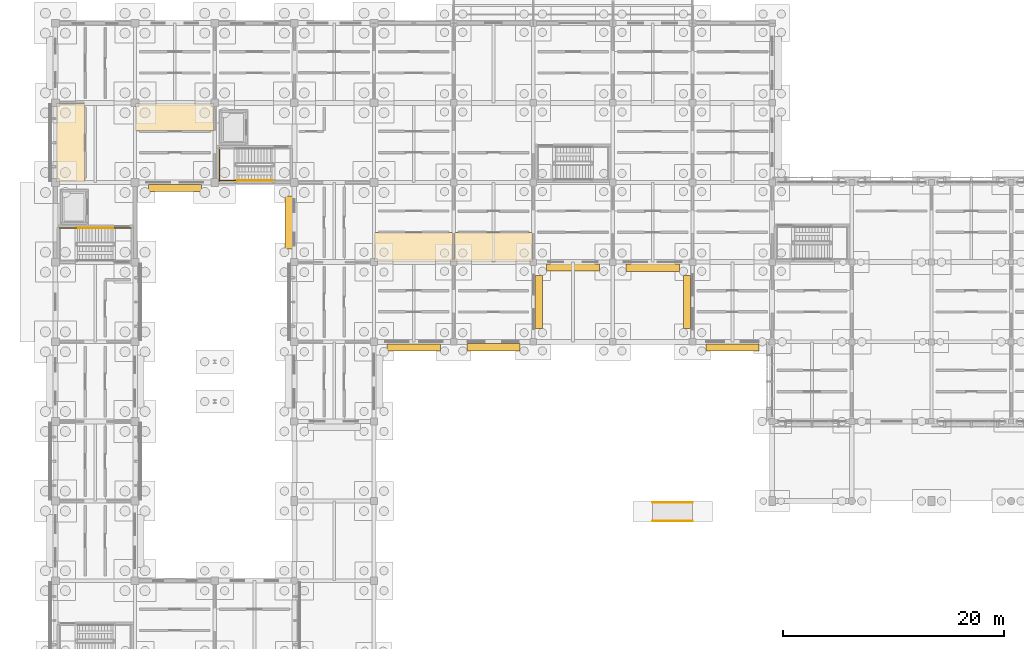
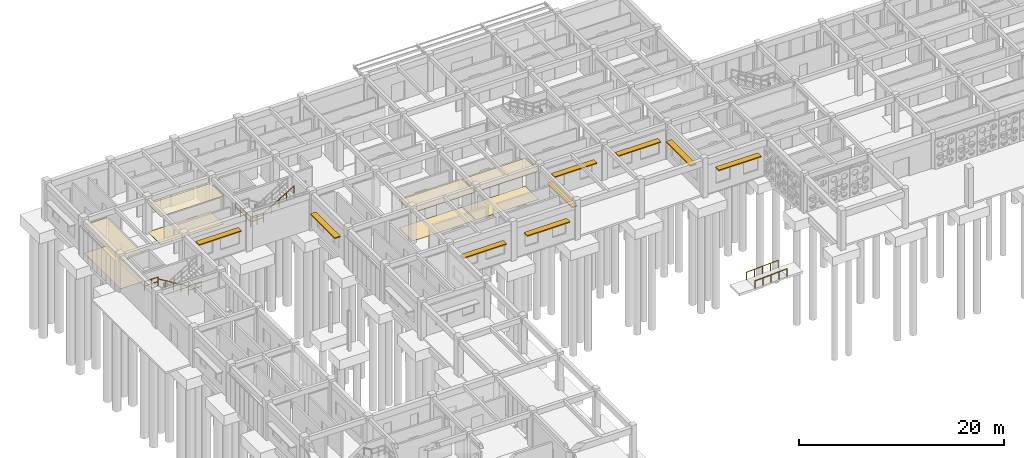
# One storey, part 94 of 111: 9 shading devices, 8 coverings, 8 railings.
"""IFC4 building model written with IfcOpenShell, lengths in metres."""

from ifc_helpers import new_model, si_unit, direction, frame, origin, origin_2d, place, context, subcontext, project, spatial, polyline, rectangle, circle, outline, extrude, material, layer, layer_set, type_object, element, save


model = new_model("IFC4")

# Units and contexts
model_context = context("Model", 3, precision=1e-05, world=origin(), true_north=direction((0.0, 1.0)))
body_context = subcontext(model_context, "Body", "Model", "MODEL_VIEW")
ifc_project = project(units=[si_unit("LENGTHUNIT", "METRE"), si_unit("AREAUNIT", "SQUARE_METRE"), si_unit("VOLUMEUNIT", "CUBIC_METRE"), si_unit("PLANEANGLEUNIT", "RADIAN"), si_unit("MASSUNIT", "GRAM", prefix="KILO")], contexts=[model_context])

# Site, building, storey
site_placement = place(None, origin())
site = spatial("IfcSite", under=ifc_project, at=site_placement, CompositionType="ELEMENT")
building_placement = place(site_placement, origin())
building = spatial("IfcBuilding", under=site, at=building_placement, Name="Aldebral Square Health Centre", CompositionType="ELEMENT")
storey_placement = place(building_placement, origin())
storey = spatial("IfcBuildingStorey", under=building, at=storey_placement, Name="L00", CompositionType="ELEMENT", Elevation=0.0)

# Coverings
ifc_material_1 = material(Name="Hygienic acoustic mineral ceiling tile")
ifc_layer_1 = layer(ifc_material_1, 0.02001953125, Name="Hygienic acoustic mineral ceiling tile")
ifc_layer_set_1 = layer_set([ifc_layer_1], Name="Hygienic acoustic mineral ceiling tile")
covering_type_1 = type_object("IfcCoveringType", Name="COV-CLG-AC", PredefinedType="CEILING", material=ifc_layer_set_1)
covering_1_placement = place(storey_placement, frame((0.0, 0.0, 3.340087890625)))
element("IfcCovering", 1, at=covering_1_placement, inside=storey, type_object=covering_type_1, Name="L00 Microbiology Laboratory 5.14S acoustic ceiling", PredefinedType="CEILING", context=body_context, shape_type="SweptSolid", body=[
    extrude(outline(polyline([(28.860107421875, 93.659912109375), (35.93994140625, 93.659912109375), (35.93994140625, 96.280029296875), (28.860107421875, 96.280029296875), (28.860107421875, 93.659912109375)])), origin(), (0.0, 0.0, 1.0), 0.02001953125),
])
covering_2_placement = place(storey_placement, frame((0.0, 0.0, 3.340087890625)))
element("IfcCovering", 2, at=covering_2_placement, inside=storey, type_object=covering_type_1, Name="L00 Phlebotomy Suite 6.14S acoustic ceiling", PredefinedType="CEILING", context=body_context, shape_type="SweptSolid", body=[
    extrude(outline(polyline([(36.06005859375, 93.659912109375), (43.139892578125, 93.659912109375), (43.139892578125, 96.280029296875), (36.06005859375, 96.280029296875), (36.06005859375, 93.659912109375)])), origin(), (0.0, 0.0, 1.0), 0.02001953125),
])
covering_3_placement = place(storey_placement, frame((0.0, 0.0, 3.340087890625)))
element("IfcCovering", 3, at=covering_3_placement, inside=storey, type_object=covering_type_1, Name="L00 Family Practice Clinic 1.15W acoustic ceiling", PredefinedType="CEILING", context=body_context, shape_type="SweptSolid", body=[
    extrude(outline(polyline([(0.06005859375, 100.860107421875), (2.659912109375, 100.860107421875), (2.659912109375, 107.93994140625), (0.06005859375, 107.93994140625), (0.06005859375, 100.860107421875)])), origin(), (0.0, 0.0, 1.0), 0.02001953125),
])
covering_4_placement = place(storey_placement, frame((0.0, 0.0, 3.340087890625)))
element("IfcCovering", 4, at=covering_4_placement, inside=storey, type_object=covering_type_1, Name="L00 Vaccination Room 2.15N acoustic ceiling", PredefinedType="CEILING", context=body_context, shape_type="SweptSolid", body=[
    extrude(outline(polyline([(7.260009765625, 105.43994140625), (14.340087890625, 105.43994140625), (14.340087890625, 107.93994140625), (7.260009765625, 107.93994140625), (7.260009765625, 105.43994140625)])), origin(), (0.0, 0.0, 1.0), 0.02001953125),
])
ifc_material_2 = material(Name="Antimicrobial clinical vinyl flooring")
ifc_layer_2 = layer(ifc_material_2, 0.014892578125, Name="Antimicrobial clinical vinyl flooring")
ifc_layer_set_2 = layer_set([ifc_layer_2], Name="Antimicrobial clinical vinyl flooring")
covering_type_2 = type_object("IfcCoveringType", Name="COV-FLR-VN", PredefinedType="FLOORING", material=ifc_layer_set_2)
covering_5_placement = place(storey_placement, origin())
element("IfcCovering", 5, at=covering_5_placement, inside=storey, type_object=covering_type_2, Name="L00 Microbiology Laboratory 5.14S clinical flooring", PredefinedType="FLOORING", context=body_context, shape_type="SweptSolid", body=[
    extrude(outline(polyline([(28.860107421875, 93.659912109375), (35.93994140625, 93.659912109375), (35.93994140625, 96.280029296875), (28.860107421875, 96.280029296875), (28.860107421875, 93.659912109375)])), origin(), (0.0, 0.0, 1.0), 0.014892578125),
])
covering_6_placement = place(storey_placement, origin())
element("IfcCovering", 6, at=covering_6_placement, inside=storey, type_object=covering_type_2, Name="L00 Phlebotomy Suite 6.14S clinical flooring", PredefinedType="FLOORING", context=body_context, shape_type="SweptSolid", body=[
    extrude(outline(polyline([(36.06005859375, 93.659912109375), (43.139892578125, 93.659912109375), (43.139892578125, 96.280029296875), (36.06005859375, 96.280029296875), (36.06005859375, 93.659912109375)])), origin(), (0.0, 0.0, 1.0), 0.014892578125),
])
covering_7_placement = place(storey_placement, origin())
element("IfcCovering", 7, at=covering_7_placement, inside=storey, type_object=covering_type_2, Name="L00 Family Practice Clinic 1.15W clinical flooring", PredefinedType="FLOORING", context=body_context, shape_type="SweptSolid", body=[
    extrude(outline(polyline([(0.06005859375, 100.860107421875), (2.659912109375, 100.860107421875), (2.659912109375, 107.93994140625), (0.06005859375, 107.93994140625), (0.06005859375, 100.860107421875)])), origin(), (0.0, 0.0, 1.0), 0.014892578125),
])
covering_8_placement = place(storey_placement, origin())
element("IfcCovering", 8, at=covering_8_placement, inside=storey, type_object=covering_type_2, Name="L00 Vaccination Room 2.15N clinical flooring", PredefinedType="FLOORING", context=body_context, shape_type="SweptSolid", body=[
    extrude(outline(polyline([(7.260009765625, 105.43994140625), (14.340087890625, 105.43994140625), (14.340087890625, 107.93994140625), (7.260009765625, 107.93994140625), (7.260009765625, 105.43994140625)])), origin(), (0.0, 0.0, 1.0), 0.014892578125),
])

# Railings
ifc_material_3 = material(Name="Stainless steel handrail", Category="steel")
railing_type_1 = type_object("IfcRailingType", Name="RL-RMP-HND", PredefinedType="HANDRAIL", material=ifc_material_3)
for number, where, name in (
    (9, (54.0, 70.2099609375, -0.179931640625), "Main Square West Entry Ramp handrail 1"),
    (10, (54.0, 71.889892578125, -0.179931640625), "Main Square West Entry Ramp handrail 2"),
):
    element("IfcRailing", number, at=place(storey_placement, frame(where)), inside=storey, type_object=railing_type_1, Name=name, PredefinedType="HANDRAIL", context=body_context, shape_type="SweptSolid", body=[
        extrude(circle(Radius=0.02392578125, at=origin_2d()), frame((0.0, 0.0, 0.8759765625), z_axis=(0.998753352096, 0.0, 0.049917348467), x_axis=(0.0, 1.0, 0.0)), (0.0, 0.0, 1.0), 3.6044921875),
        extrude(circle(Radius=0.02099609375, at=origin_2d()), origin(), (0.0, 0.0, 1.0), 0.851806640625),
        extrude(circle(Radius=0.02099609375, at=origin_2d()), frame((0.89990234375, 0.0, 0.044921875)), (0.0, 0.0, 1.0), 0.851806640625),
        extrude(circle(Radius=0.02099609375, at=origin_2d()), frame((1.800048828125, 0.0, 0.08984375)), (0.0, 0.0, 1.0), 0.851806640625),
        extrude(circle(Radius=0.02099609375, at=origin_2d()), frame((2.7001953125, 0.0, 0.135009765625)), (0.0, 0.0, 1.0), 0.851806640625),
        extrude(circle(Radius=0.02099609375, at=origin_2d()), frame((3.60009765625, 0.0, 0.179931640625)), (0.0, 0.0, 1.0), 0.851806640625),
    ])
ifc_material_4 = material(Name="Painted steel S355JR stair guard", Category="steel")
railing_type_2 = type_object("IfcRailingType", Name="RL-ST-GRD", PredefinedType="GUARDRAIL", material=ifc_material_4)
railing_1_placement = place(storey_placement, frame((1.89990234375, 96.669921875, 2.25)))
element("IfcRailing", 11, at=railing_1_placement, inside=storey, type_object=railing_type_2, Name="L00 ST-01 stair guard 3", PredefinedType="GUARDRAIL", context=body_context, shape_type="SweptSolid", body=[
    extrude(circle(Radius=0.02392578125, at=origin_2d()), frame((0.0, 0.0, 1.09619140625), z_axis=(-1.0, 0.0, 0.0), x_axis=(0.0, -1.0, 0.0)), (0.0, 0.0, 1.0), 1.52001953125),
    extrude(circle(Radius=0.02392578125, at=origin_2d()), frame((0.0, 0.0, 0.56005859375), z_axis=(-1.0, 0.0, 0.0), x_axis=(0.0, -1.0, 0.0)), (0.0, 0.0, 1.0), 1.52001953125),
    extrude(circle(Radius=0.02099609375, at=origin_2d()), origin(), (0.0, 0.0, 1.0), 1.072021484375),
    extrude(circle(Radius=0.02099609375, at=origin_2d()), frame((-0.760009765625, 0.0, 0.0)), (0.0, 0.0, 1.0), 1.072021484375),
    extrude(circle(Radius=0.02099609375, at=origin_2d()), frame((-1.52001953125, 0.0, 0.0)), (0.0, 0.0, 1.0), 1.072021484375),
])
railing_2_placement = place(storey_placement, frame((6.820068359375, 96.669921875, 0.0)))
element("IfcRailing", 12, at=railing_2_placement, inside=storey, type_object=railing_type_2, Name="L00 ST-01 stair guard 8", PredefinedType="GUARDRAIL", context=body_context, shape_type="SweptSolid", body=[
    extrude(circle(Radius=0.02392578125, at=origin_2d()), frame((0.0, 0.0, 1.09619140625), z_axis=(-1.0, 0.0, 0.0), x_axis=(0.0, -1.0, 0.0)), (0.0, 0.0, 1.0), 1.5),
    extrude(circle(Radius=0.02392578125, at=origin_2d()), frame((0.0, 0.0, 0.56005859375), z_axis=(-1.0, 0.0, 0.0), x_axis=(0.0, -1.0, 0.0)), (0.0, 0.0, 1.0), 1.5),
    extrude(circle(Radius=0.02099609375, at=origin_2d()), origin(), (0.0, 0.0, 1.0), 1.072021484375),
    extrude(circle(Radius=0.02099609375, at=origin_2d()), frame((-0.75, 0.0, 0.0)), (0.0, 0.0, 1.0), 1.072021484375),
    extrude(circle(Radius=0.02099609375, at=origin_2d()), frame((-1.5, 0.0, 0.0)), (0.0, 0.0, 1.0), 1.072021484375),
])
railing_3_placement = place(storey_placement, frame((16.300048828125, 100.969970703125, 2.25)))
element("IfcRailing", 13, at=railing_3_placement, inside=storey, type_object=railing_type_2, Name="L00 ST-02 stair guard 4", PredefinedType="GUARDRAIL", context=body_context, shape_type="SweptSolid", body=[
    extrude(circle(Radius=0.02392578125, at=origin_2d()), frame((0.0, 0.0, 1.09619140625), z_axis=(-1.0, 0.0, 0.0), x_axis=(0.0, -1.0, 0.0)), (0.0, 0.0, 1.0), 1.52001953125),
    extrude(circle(Radius=0.02392578125, at=origin_2d()), frame((0.0, 0.0, 0.56005859375), z_axis=(-1.0, 0.0, 0.0), x_axis=(0.0, -1.0, 0.0)), (0.0, 0.0, 1.0), 1.52001953125),
    extrude(circle(Radius=0.02099609375, at=origin_2d()), origin(), (0.0, 0.0, 1.0), 1.072021484375),
    extrude(circle(Radius=0.02099609375, at=origin_2d()), frame((-0.760009765625, 0.0, 0.0)), (0.0, 0.0, 1.0), 1.072021484375),
    extrude(circle(Radius=0.02099609375, at=origin_2d()), frame((-1.52001953125, 0.0, 0.0)), (0.0, 0.0, 1.0), 1.072021484375),
])
railing_4_placement = place(storey_placement, frame((14.830078125, 103.919921875, 2.25)))
element("IfcRailing", 14, at=railing_4_placement, inside=storey, type_object=railing_type_2, Name="L00 ST-02 stair guard 5", PredefinedType="GUARDRAIL", context=body_context, shape_type="SweptSolid", body=[
    extrude(circle(Radius=0.02392578125, at=origin_2d()), frame((0.0, 0.0, 1.09619140625), z_axis=(0.0, -1.0, 0.0), x_axis=(1.0, 0.0, 0.0)), (0.0, 0.0, 1.0), 3.0),
    extrude(circle(Radius=0.02392578125, at=origin_2d()), frame((0.0, 0.0, 0.56005859375), z_axis=(0.0, -1.0, 0.0), x_axis=(1.0, 0.0, 0.0)), (0.0, 0.0, 1.0), 3.0),
    extrude(circle(Radius=0.02099609375, at=origin_2d()), origin(), (0.0, 0.0, 1.0), 1.072021484375),
    extrude(circle(Radius=0.02099609375, at=origin_2d()), frame((0.0, -1.0, 0.0)), (0.0, 0.0, 1.0), 1.072021484375),
    extrude(circle(Radius=0.02099609375, at=origin_2d()), frame((0.0, -2.0, 0.0)), (0.0, 0.0, 1.0), 1.072021484375),
    extrude(circle(Radius=0.02099609375, at=origin_2d()), frame((0.0, -3.0, 0.0)), (0.0, 0.0, 1.0), 1.072021484375),
])
ifc_material_5 = material(Name="Brushed stainless steel handrail", Category="steel")
railing_type_3 = type_object("IfcRailingType", Name="RL-ST-HND", PredefinedType="HANDRAIL", material=ifc_material_5)
railing_5_placement = place(storey_placement, frame((5.320068359375, 96.669921875, 0.173095703125)))
element("IfcRailing", 15, at=railing_5_placement, inside=storey, type_object=railing_type_3, Name="L00 ST-01 stair handrail 1", PredefinedType="HANDRAIL", context=body_context, shape_type="SweptSolid", body=[
    extrude(circle(Radius=0.02392578125, at=origin_2d()), frame((0.0, 0.0, 0.8759765625), z_axis=(-0.854745945586, 0.0, 0.519046595696), x_axis=(0.0, -1.0, 0.0)), (0.0, 0.0, 1.0), 4.00146484375),
    extrude(circle(Radius=0.02099609375, at=origin_2d()), origin(), (0.0, 0.0, 1.0), 0.851806640625),
    extrude(circle(Radius=0.02099609375, at=origin_2d()), frame((-0.85498046875, 0.0, 0.519287109375)), (0.0, 0.0, 1.0), 0.851806640625),
    extrude(circle(Radius=0.02099609375, at=origin_2d()), frame((-1.7099609375, 0.0, 1.03857421875)), (0.0, 0.0, 1.0), 0.851806640625),
    extrude(circle(Radius=0.02099609375, at=origin_2d()), frame((-2.565185546875, 0.0, 1.5576171875)), (0.0, 0.0, 1.0), 0.851806640625),
    extrude(circle(Radius=0.02099609375, at=origin_2d()), frame((-3.420166015625, 0.0, 2.076904296875)), (0.0, 0.0, 1.0), 0.851806640625),
])
railing_6_placement = place(storey_placement, frame((16.300048828125, 100.969970703125, 2.423095703125)))
element("IfcRailing", 16, at=railing_6_placement, inside=storey, type_object=railing_type_3, Name="L00 ST-02 stair handrail 2", PredefinedType="HANDRAIL", context=body_context, shape_type="SweptSolid", body=[
    extrude(circle(Radius=0.02392578125, at=origin_2d()), frame((0.0, 0.0, 0.8759765625), z_axis=(0.854729506542, 0.0, 0.519073665916), x_axis=(0.0, 1.0, 0.0)), (0.0, 0.0, 1.0), 4.001220703125),
    extrude(circle(Radius=0.02099609375, at=origin_2d()), origin(), (0.0, 0.0, 1.0), 0.851806640625),
    extrude(circle(Radius=0.02099609375, at=origin_2d()), frame((0.85498046875, 0.0, 0.519287109375)), (0.0, 0.0, 1.0), 0.851806640625),
    extrude(circle(Radius=0.02099609375, at=origin_2d()), frame((1.7099609375, 0.0, 1.03857421875)), (0.0, 0.0, 1.0), 0.851806640625),
    extrude(circle(Radius=0.02099609375, at=origin_2d()), frame((2.56494140625, 0.0, 1.5576171875)), (0.0, 0.0, 1.0), 0.851806640625),
    extrude(circle(Radius=0.02099609375, at=origin_2d()), frame((3.419921875, 0.0, 2.076904296875)), (0.0, 0.0, 1.0), 0.851806640625),
])

# Shading devices
ifc_material_6 = material(Name="Sienna-terracotta solar hood", Category="masonry")
shading_device_type = type_object("IfcShadingDeviceType", Name="SHD-LVR-1", PredefinedType="JALOUSIE", material=ifc_material_6)
for number, where, z_axis, x_axis, name in (
    (17, (10.800048828125, 100.304931640625, 2.800048828125), (0.0, 0.0, 1.0), (1.0, 0.0, 0.0), "L00 solar hood L00-V4-01-14-S"),
    (18, (21.094970703125, 97.199951171875, 2.419921875), (0.0, 0.0, 1.0), (0.0, 1.0, 0.0), "L00 solar hood L00-V4-03-13-W"),
    (19, (32.39990234375, 85.89501953125, 2.419921875), (0.0, 0.0, 1.0), (1.0, 0.0, 0.0), "L00 solar hood L00-V2-04-12-S"),
    (20, (39.60009765625, 85.905029296875, 2.5400390625), (0.0, 0.0, 1.0), (1.0, 0.0, 0.0), "L00 solar hood L00-V2-05-12-S"),
    (21, (43.695068359375, 90.0, 2.5400390625), (0.0, 0.0, 1.0), (0.0, 1.0, 0.0), "L00 solar hood L00-V2-05-12-E"),
    (22, (46.800048828125, 93.10498046875, 2.669921875), (0.0, 0.0, 1.0), (1.0, 0.0, 0.0), "L00 solar hood L00-V2-06-13-S"),
    (23, (54.0, 93.094970703125, 2.669921875), (0.0, 0.0, 1.0), (1.0, 0.0, 0.0), "L00 solar hood L00-V2-07-13-S"),
    (24, (61.199951171875, 85.89501953125, 2.800048828125), (0.0, 0.0, 1.0), (1.0, 0.0, 0.0), "L00 solar hood L00-V2-08-12-S"),
    (25, (57.094970703125, 90.0, 2.800048828125), (0.0, 0.0, 1.0), (0.0, 1.0, 0.0), "L00 solar hood L00-V2-08-12-W"),
):
    element("IfcShadingDevice", number, at=place(storey_placement, frame(where, z_axis=z_axis, x_axis=x_axis)), inside=storey, type_object=shading_device_type, Name=name, PredefinedType="JALOUSIE", context=body_context, shape_type="SweptSolid", body=[
        extrude(rectangle(XDim=4.800048828125, YDim=0.64990234375, at=origin_2d()), origin(), (0.0, 0.0, 1.0), 0.1201171875),
    ])

save(model, "model.ifc")
